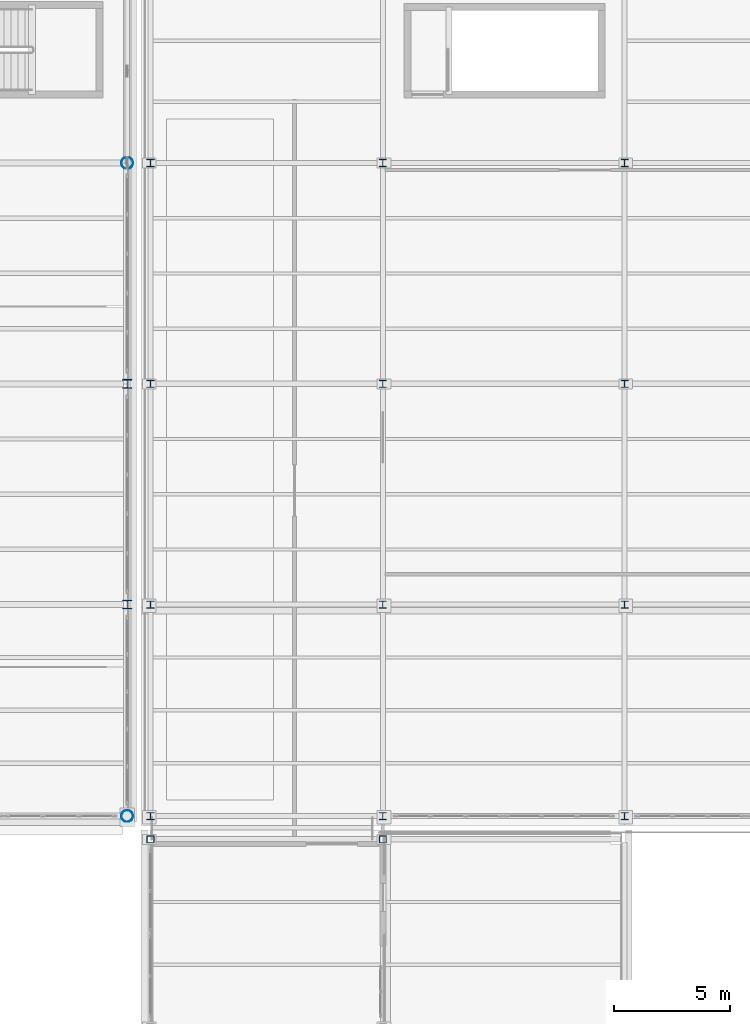
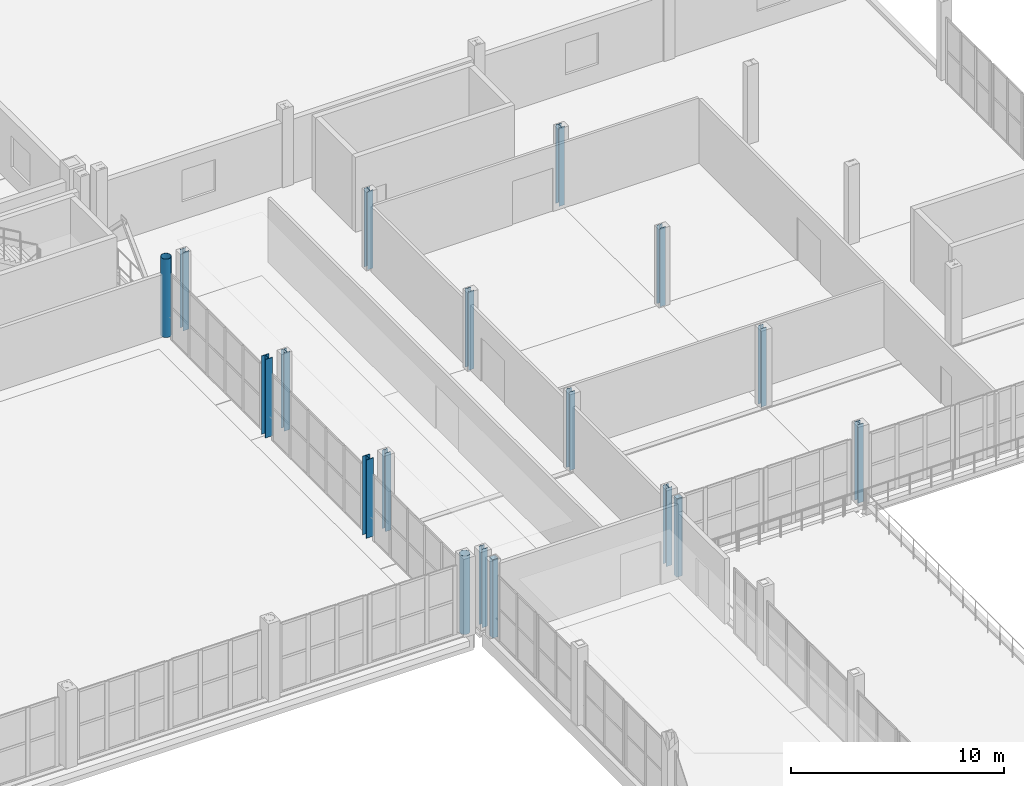
# One storey, part 12 of 156: 18 columns.
"""IFC4 building model written with IfcOpenShell, lengths in metres."""

from ifc_helpers import new_model, si_unit, direction, frame, origin, origin_2d, place, context, subcontext, project, spatial, hollow_rectangle, hollow_circle, i_section, extrude, material, material_profile, profile_set, type_object, element, save


model = new_model("IFC4")

# Units and contexts
model_context = context("Model", 3, precision=1e-05, world=origin(), true_north=direction((0.0, 1.0)))
body_context = subcontext(model_context, "Body", "Model", "MODEL_VIEW")
ifc_project = project(units=[si_unit("LENGTHUNIT", "METRE"), si_unit("AREAUNIT", "SQUARE_METRE"), si_unit("VOLUMEUNIT", "CUBIC_METRE"), si_unit("PLANEANGLEUNIT", "RADIAN"), si_unit("MASSUNIT", "GRAM", prefix="KILO")], contexts=[model_context])

# Site, building, storey
site_placement = place(None, origin())
site = spatial("IfcSite", under=ifc_project, at=site_placement, CompositionType="ELEMENT")
building_placement = place(site_placement, origin())
building = spatial("IfcBuilding", under=site, at=building_placement, Name="Caurita Quay Ferry Terminal", CompositionType="ELEMENT")
storey_placement = place(building_placement, frame((0.0, 0.0, 5.39990234375)))
storey = spatial("IfcBuildingStorey", under=building, at=storey_placement, Name="L01", CompositionType="ELEMENT", Elevation=5.39990234375)

# Columns
ifc_material_1 = material(Name="Hollow structural steel ASTM A500 Gr. C", Category="steel")
ifc_material_profile_1 = material_profile(ifc_material_1, hollow_rectangle(XDim=0.3046875, YDim=0.3046875, WallThickness=0.01171875, InnerFilletRadius=0.01171875, OuterFilletRadius=0.023681640625, at=origin_2d()), Name="HSS12X12X1/2")
ifc_profile_set_1 = profile_set([ifc_material_profile_1], Name="Hollow structural steel ASTM A500 Gr. C")
column_type_1 = type_object("IfcColumnType", Name="COL-HSS-02", PredefinedType="COLUMN", material=ifc_profile_set_1)
for number, where, z_axis, x_axis, name in (
    (1, (132.800048828125, 33.60009765625, 0.0), (0.0, 0.0, 1.0), (1.0, 0.0, 0.0), "L01 Column V3-BP-15-E"),
    (2, (142.800048828125, 33.60009765625, 0.0), (0.0, 0.0, 1.0), (1.0, 0.0, 0.0), "L01 Column V3-BP-16-E"),
):
    element("IfcColumn", number, at=place(storey_placement, frame(where, z_axis=z_axis, x_axis=x_axis)), inside=storey, type_object=column_type_1, Name=name, PredefinedType="COLUMN", context=body_context, shape_type="SweptSolid", body=[
        extrude(hollow_rectangle(XDim=0.3046875, YDim=0.3046875, WallThickness=0.01171875, InnerFilletRadius=0.01171875, OuterFilletRadius=0.023681640625, at=origin_2d()), origin(), (0.0, 0.0, 1.0), 4.5),
    ])
ifc_material_profile_2 = material_profile(ifc_material_1, hollow_circle(Radius=0.25390625, WallThickness=0.01171875, at=origin_2d()), Name="HSS20.000X0.500")
ifc_profile_set_2 = profile_set([ifc_material_profile_2], Name="Hollow structural steel ASTM A500 Gr. C")
column_type_2 = type_object("IfcColumnType", Name="COL-MST-01", PredefinedType="COLUMN", material=ifc_profile_set_2)
for number, where, z_axis, x_axis, name in (
    (3, (131.800048828125, 34.60009765625, 0.0), (0.0, 0.0, 1.0), (1.0, 0.0, 0.0), "L01 Column V2-MST-14-S"),
    (4, (131.800048828125, 62.699951171875, 0.0), (0.0, 0.0, 1.0), (1.0, 0.0, 0.0), "L01 Column V2-MST-14-N"),
):
    element("IfcColumn", number, at=place(storey_placement, frame(where, z_axis=z_axis, x_axis=x_axis)), inside=storey, type_object=column_type_2, Name=name, PredefinedType="COLUMN", context=body_context, shape_type="SweptSolid", body=[
        extrude(hollow_circle(Radius=0.25390625, WallThickness=0.01171875, at=origin_2d()), origin(), (0.0, 0.0, 1.0), 4.5),
    ])
ifc_material_2 = material(Name="Structural steel ASTM A992 Gr. 50", Category="steel")
ifc_material_profile_3 = material_profile(ifc_material_2, i_section(OverallWidth=0.393798828125, OverallDepth=0.3759765625, WebThickness=0.017333984375, FlangeThickness=0.027587890625, FilletRadius=0.017822265625, at=origin_2d()), Name="W14X145")
ifc_profile_set_3 = profile_set([ifc_material_profile_3], Name="Structural steel ASTM A992 Gr. 50")
column_type_3 = type_object("IfcColumnType", Name="COL-STL-06", PredefinedType="COLUMN", material=ifc_profile_set_3)
for number, where, z_axis, x_axis, name in (
    (5, (131.800048828125, 43.699951171875, 0.0), (0.0, 0.0, 1.0), (1.0, 0.0, 0.0), "L01 Column V2-GBL-14-G"),
    (6, (131.800048828125, 53.199951171875, 0.0), (0.0, 0.0, 1.0), (1.0, 0.0, 0.0), "L01 Column V2-GBL-14-H"),
):
    element("IfcColumn", number, at=place(storey_placement, frame(where, z_axis=z_axis, x_axis=x_axis)), inside=storey, type_object=column_type_3, Name=name, PredefinedType="COLUMN", context=body_context, shape_type="SweptSolid", body=[
        extrude(i_section(OverallWidth=0.393798828125, OverallDepth=0.3759765625, WebThickness=0.017333984375, FlangeThickness=0.027587890625, FilletRadius=0.017822265625, at=origin_2d()), origin(), (0.0, 0.0, 1.0), 4.5),
    ])
ifc_material_profile_4 = material_profile(ifc_material_2, i_section(OverallWidth=0.3046875, OverallDepth=0.307373046875, WebThickness=0.010009765625, FlangeThickness=0.015380859375, FilletRadius=0.01513671875, at=origin_2d()), Name="W12X65")
ifc_profile_set_4 = profile_set([ifc_material_profile_4], Name="Structural steel ASTM A992 Gr. 50")
column_type_4 = type_object("IfcColumnType", Name="COL-STL-11", PredefinedType="COLUMN", material=ifc_profile_set_4)
for number, where, z_axis, x_axis, name in (
    (7, (132.800048828125, 34.60009765625, 0.0), (0.0, 0.0, 1.0), (1.0, 0.0, 0.0), "L01 Column V3-HH-15-F"),
    (8, (132.800048828125, 43.699951171875, 0.0), (0.0, 0.0, 1.0), (1.0, 0.0, 0.0), "L01 Column V3-HH-15-G"),
    (9, (132.800048828125, 53.199951171875, 0.0), (0.0, 0.0, 1.0), (1.0, 0.0, 0.0), "L01 Column V3-HH-15-H"),
    (10, (132.800048828125, 62.699951171875, 0.0), (0.0, 0.0, 1.0), (1.0, 0.0, 0.0), "L01 Column V3-HH-15-J"),
    (11, (142.800048828125, 34.60009765625, 0.0), (0.0, 0.0, 1.0), (1.0, 0.0, 0.0), "L01 Column V3-HH-16-F"),
    (12, (142.800048828125, 43.699951171875, 0.0), (0.0, 0.0, 1.0), (1.0, 0.0, 0.0), "L01 Column V3-HH-16-G"),
    (13, (142.800048828125, 53.199951171875, 0.0), (0.0, 0.0, 1.0), (1.0, 0.0, 0.0), "L01 Column V3-HH-16-H"),
    (14, (142.800048828125, 62.699951171875, 0.0), (0.0, 0.0, 1.0), (1.0, 0.0, 0.0), "L01 Column V3-HH-16-J"),
    (15, (153.199951171875, 34.60009765625, 0.0), (0.0, 0.0, 1.0), (1.0, 0.0, 0.0), "L01 Column V3-HH-17-F"),
    (16, (153.199951171875, 43.699951171875, 0.0), (0.0, 0.0, 1.0), (1.0, 0.0, 0.0), "L01 Column V3-HH-17-G"),
    (17, (153.199951171875, 53.199951171875, 0.0), (0.0, 0.0, 1.0), (1.0, 0.0, 0.0), "L01 Column V3-HH-17-H"),
    (18, (153.199951171875, 62.699951171875, 0.0), (0.0, 0.0, 1.0), (1.0, 0.0, 0.0), "L01 Column V3-HH-17-J"),
):
    element("IfcColumn", number, at=place(storey_placement, frame(where, z_axis=z_axis, x_axis=x_axis)), inside=storey, type_object=column_type_4, Name=name, PredefinedType="COLUMN", context=body_context, shape_type="SweptSolid", body=[
        extrude(i_section(OverallWidth=0.3046875, OverallDepth=0.307373046875, WebThickness=0.010009765625, FlangeThickness=0.015380859375, FilletRadius=0.01513671875, at=origin_2d()), origin(), (0.0, 0.0, 1.0), 4.5),
    ])

save(model, "model.ifc")
